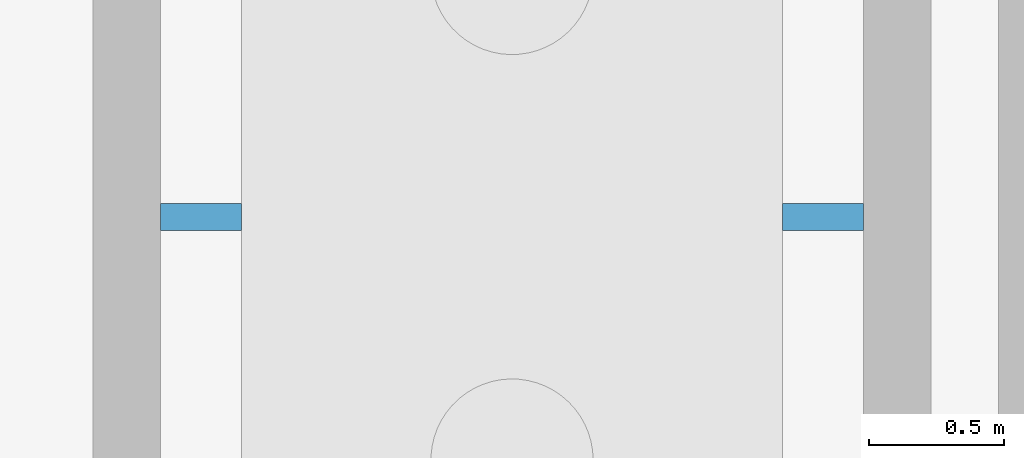
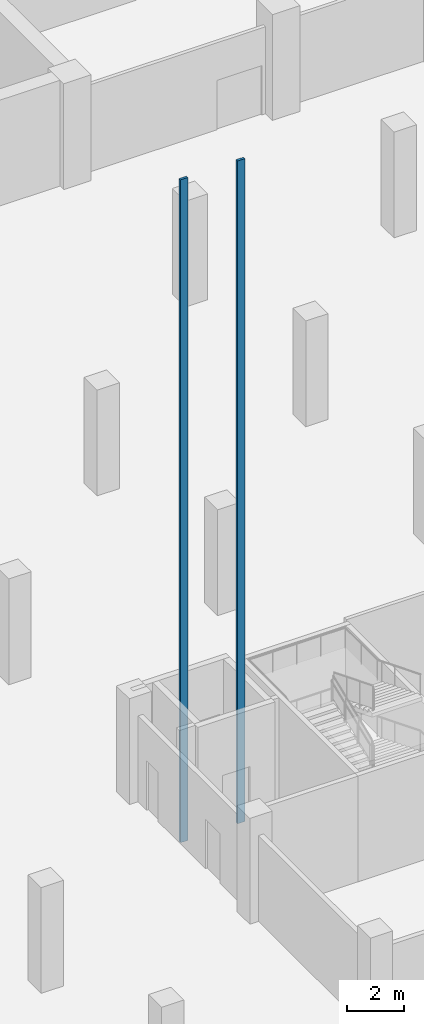
# One storey, part 11 of 26: 2 discrete accessories.
"""IFC4 building model written with IfcOpenShell, lengths in metres."""

from ifc_helpers import new_model, si_unit, direction, frame, origin, origin_2d, place, context, subcontext, project, spatial, rectangle, extrude, material, type_object, element, save


model = new_model("IFC4")

# Units and contexts
model_context = context("Model", 3, precision=1e-05, world=origin(), true_north=direction((0.0, 1.0)))
body_context = subcontext(model_context, "Body", "Model", "MODEL_VIEW")
ifc_project = project(units=[si_unit("LENGTHUNIT", "METRE"), si_unit("AREAUNIT", "SQUARE_METRE"), si_unit("VOLUMEUNIT", "CUBIC_METRE"), si_unit("PLANEANGLEUNIT", "RADIAN"), si_unit("MASSUNIT", "GRAM", prefix="KILO")], contexts=[model_context])

# Site, building, storey
site_placement = place(None, origin())
site = spatial("IfcSite", under=ifc_project, at=site_placement, CompositionType="ELEMENT")
building_placement = place(site_placement, origin())
building = spatial("IfcBuilding", under=site, at=building_placement, Name="Rulbaag Community and Learning Centre", CompositionType="ELEMENT")
storey_placement = place(building_placement, frame((0.0, 0.0, -9.60009765625)))
storey = spatial("IfcBuildingStorey", under=building, at=storey_placement, Name="B2", CompositionType="ELEMENT", Elevation=-9.60009765625)

# Discrete accessories
ifc_material = material(Name="Steel E350", Category="steel")
discrete_accessory_type = type_object("IfcDiscreteAccessoryType", Name="LR-GUIDE RAIL 300 x 100", PredefinedType="BRACKET", material=ifc_material)
for number, where, z_axis, x_axis, name in (
    (1, (127.14990234375, 48.949951171875, -1.5), (0.0, 0.0, 1.0), (1.0, 0.0, 0.0), "Guide rail LH3 W"),
    (2, (129.449951171875, 48.949951171875, -1.5), (0.0, 0.0, 1.0), (1.0, 0.0, 0.0), "Guide rail LH3 E"),
):
    element("IfcDiscreteAccessory", number, at=place(storey_placement, frame(where, z_axis=z_axis, x_axis=x_axis)), inside=storey, type_object=discrete_accessory_type, Name=name, PredefinedType="BRACKET", context=body_context, shape_type="SweptSolid", body=[
        extrude(rectangle(XDim=0.300048828125, YDim=0.10009765625, at=origin_2d()), origin(), (0.0, 0.0, 1.0), 28.199951171875),
    ])

save(model, "model.ifc")
